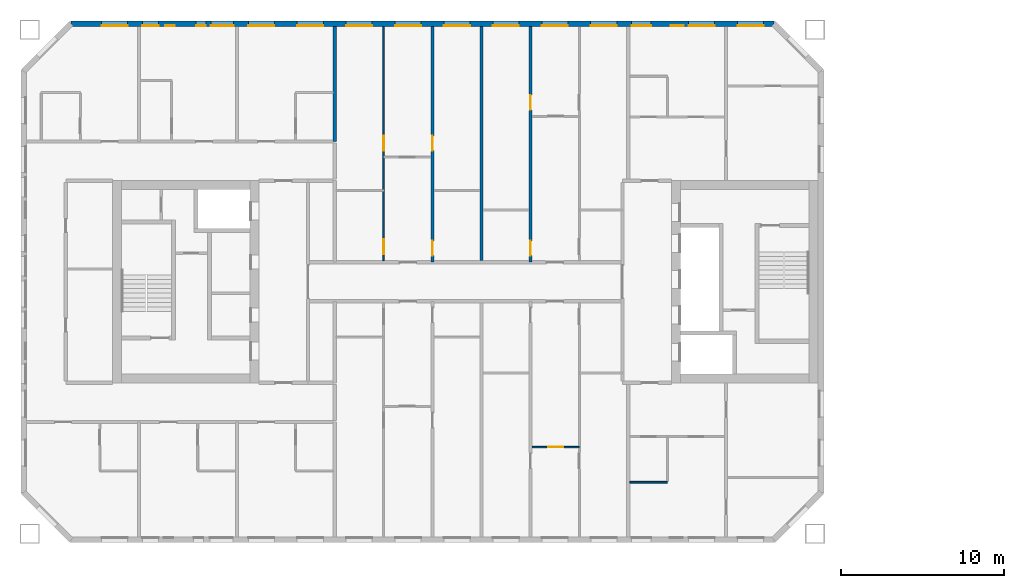
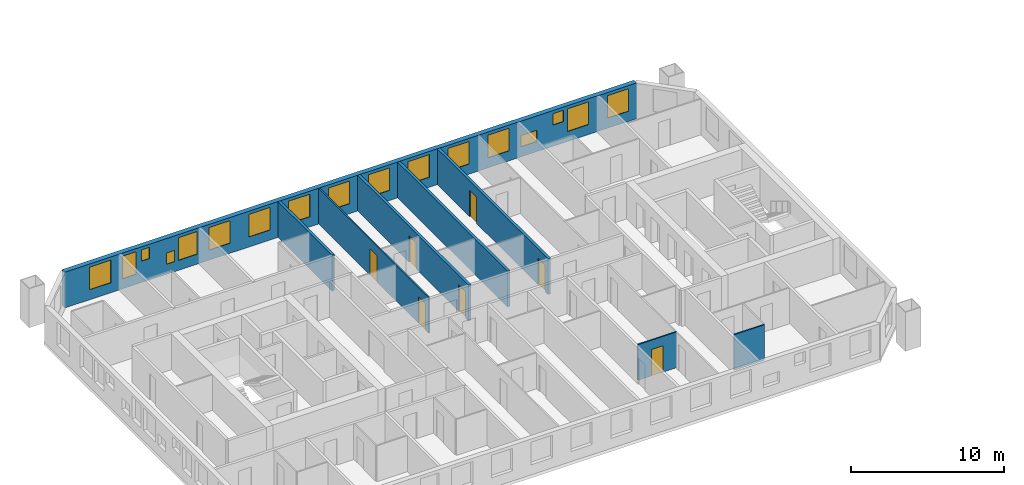
# One storey, part 6 of 17: 17 windows, 8 walls, 7 doors, 24 openings.
"""IFC4 building model written with IfcOpenShell, lengths in metres."""

from ifc_helpers import new_model, si_unit, direction, frame, frame_2d, origin, place, context, subcontext, project, spatial, rectangle, extrude, material, layer, layer_set, type_object, element, fill, save


model = new_model("IFC4")

# Units and contexts
model_context = context("Model", 3, precision=1e-05, world=origin(), true_north=direction((0.0, 1.0)))
body_context = subcontext(model_context, "Body", "Model", "MODEL_VIEW")
ifc_project = project(units=[si_unit("LENGTHUNIT", "METRE"), si_unit("AREAUNIT", "SQUARE_METRE"), si_unit("VOLUMEUNIT", "CUBIC_METRE"), si_unit("PLANEANGLEUNIT", "RADIAN"), si_unit("MASSUNIT", "GRAM", prefix="KILO")], contexts=[model_context])

# Site, building, storey
site_placement = place(None, origin())
site = spatial("IfcSite", under=ifc_project, at=site_placement, CompositionType="ELEMENT")
building_placement = place(site_placement, origin())
building = spatial("IfcBuilding", under=site, at=building_placement, Name="Tuart Gate Housing", CompositionType="ELEMENT")
storey_placement = place(building_placement, frame((0.0, 0.0, 126.800048828125)))
storey = spatial("IfcBuildingStorey", under=building, at=storey_placement, Name="L35", CompositionType="ELEMENT", Elevation=126.800048828125)

# Wall, openings, windows
ifc_material_1 = material(Name="Brick", Category="masonry")
ifc_layer_1 = layer(ifc_material_1, 0.360107421875)
ifc_layer_set_1 = layer_set([ifc_layer_1], Name="Brick pier and spandrel wall 360")
wall_type_1 = type_object("IfcWallType", Name="Brick pier and spandrel wall 360", PredefinedType="STANDARD", material=ifc_layer_set_1)
wall_1_placement = place(storey_placement, frame((72.92529296875, 85.820068359375, 0.0), z_axis=(0.0, 0.0, 1.0), x_axis=(-1.0, 0.0, 0.0)))
wall_1 = element("IfcWall", 1, at=wall_1_placement, inside=storey, type_object=wall_type_1, Name="External wall A-N L35", PredefinedType="STANDARD", context=body_context, shape_type="SweptSolid", body=[
    extrude(rectangle(XDim=43.100830078125, YDim=0.360107421875, at=frame_2d((21.55029296875, 0.0))), origin(), (0.0, 0.0, 1.0), 2.849853515625),
])
opening_1_placement = place(wall_1_placement, frame((0.62548828125, 0.0, 0.800048828125)))
opening_1 = element("IfcOpeningElement", 2, at=opening_1_placement, cuts=wall_1, Name="Opening W1", PredefinedType="OPENING", context=body_context, shape_type="SweptSolid", body=[
    extrude(rectangle(XDim=1.60009765625, YDim=1.800048828125, at=frame_2d((0.800048828125, 0.89990234375))), frame((0.0, 0.18994140625, 0.0), z_axis=(0.0, -1.0, 0.0), x_axis=(1.0, 0.0, 0.0)), (0.0, 0.0, 1.0), 0.380126953125),
])
opening_2_placement = place(wall_1_placement, frame((3.62548828125, 0.0, 0.800048828125)))
opening_2 = element("IfcOpeningElement", 3, at=opening_2_placement, cuts=wall_1, Name="Opening W1", PredefinedType="OPENING", context=body_context, shape_type="SweptSolid", body=[
    extrude(rectangle(XDim=1.60009765625, YDim=1.800048828125, at=frame_2d((0.800048828125, 0.89990234375))), frame((0.0, 0.18994140625, 0.0), z_axis=(0.0, -1.0, 0.0), x_axis=(1.0, 0.0, 0.0)), (0.0, 0.0, 1.0), 0.380126953125),
])
opening_3_placement = place(wall_1_placement, frame((5.525390625, 0.0, 1.699951171875)))
opening_3 = element("IfcOpeningElement", 4, at=opening_3_placement, cuts=wall_1, Name="Opening W1V", PredefinedType="OPENING", context=body_context, shape_type="SweptSolid", body=[
    extrude(rectangle(XDim=0.800048828125, YDim=0.89990234375, at=frame_2d((0.39990234375, 0.449951171875))), frame((0.0, 0.18994140625, 0.0), z_axis=(0.0, -1.0, 0.0), x_axis=(1.0, 0.0, 0.0)), (0.0, 0.0, 1.0), 0.380126953125),
])
opening_4_placement = place(wall_1_placement, frame((9.62548828125, 0.0, 0.800048828125)))
opening_4 = element("IfcOpeningElement", 5, at=opening_4_placement, cuts=wall_1, Name="Opening W1", PredefinedType="OPENING", context=body_context, shape_type="SweptSolid", body=[
    extrude(rectangle(XDim=1.60009765625, YDim=1.800048828125, at=frame_2d((0.800048828125, 0.89990234375))), frame((0.0, 0.18994140625, 0.0), z_axis=(0.0, -1.0, 0.0), x_axis=(1.0, 0.0, 0.0)), (0.0, 0.0, 1.0), 0.380126953125),
])
opening_5_placement = place(wall_1_placement, frame((12.62548828125, 0.0, 0.800048828125)))
opening_5 = element("IfcOpeningElement", 6, at=opening_5_placement, cuts=wall_1, Name="Opening W1", PredefinedType="OPENING", context=body_context, shape_type="SweptSolid", body=[
    extrude(rectangle(XDim=1.60009765625, YDim=1.800048828125, at=frame_2d((0.800048828125, 0.89990234375))), frame((0.0, 0.18994140625, 0.0), z_axis=(0.0, -1.0, 0.0), x_axis=(1.0, 0.0, 0.0)), (0.0, 0.0, 1.0), 0.380126953125),
])
opening_6_placement = place(wall_1_placement, frame((15.62548828125, 0.0, 0.800048828125)))
opening_6 = element("IfcOpeningElement", 7, at=opening_6_placement, cuts=wall_1, Name="Opening W1", PredefinedType="OPENING", context=body_context, shape_type="SweptSolid", body=[
    extrude(rectangle(XDim=1.60009765625, YDim=1.800048828125, at=frame_2d((0.800048828125, 0.89990234375))), frame((0.0, 0.18994140625, 0.0), z_axis=(0.0, -1.0, 0.0), x_axis=(1.0, 0.0, 0.0)), (0.0, 0.0, 1.0), 0.380126953125),
])
opening_7_placement = place(wall_1_placement, frame((18.62548828125, 0.0, 0.800048828125)))
opening_7 = element("IfcOpeningElement", 8, at=opening_7_placement, cuts=wall_1, Name="Opening W1", PredefinedType="OPENING", context=body_context, shape_type="SweptSolid", body=[
    extrude(rectangle(XDim=1.60009765625, YDim=1.800048828125, at=frame_2d((0.800048828125, 0.89990234375))), frame((0.0, 0.18994140625, 0.0), z_axis=(0.0, -1.0, 0.0), x_axis=(1.0, 0.0, 0.0)), (0.0, 0.0, 1.0), 0.380126953125),
])
opening_8_placement = place(wall_1_placement, frame((21.62548828125, 0.0, 0.800048828125)))
opening_8 = element("IfcOpeningElement", 9, at=opening_8_placement, cuts=wall_1, Name="Opening W1", PredefinedType="OPENING", context=body_context, shape_type="SweptSolid", body=[
    extrude(rectangle(XDim=1.60009765625, YDim=1.800048828125, at=frame_2d((0.800048828125, 0.89990234375))), frame((0.0, 0.18994140625, 0.0), z_axis=(0.0, -1.0, 0.0), x_axis=(1.0, 0.0, 0.0)), (0.0, 0.0, 1.0), 0.380126953125),
])
opening_9_placement = place(wall_1_placement, frame((24.62548828125, 0.0, 0.800048828125)))
opening_9 = element("IfcOpeningElement", 10, at=opening_9_placement, cuts=wall_1, Name="Opening W1", PredefinedType="OPENING", context=body_context, shape_type="SweptSolid", body=[
    extrude(rectangle(XDim=1.60009765625, YDim=1.800048828125, at=frame_2d((0.800048828125, 0.89990234375))), frame((0.0, 0.18994140625, 0.0), z_axis=(0.0, -1.0, 0.0), x_axis=(1.0, 0.0, 0.0)), (0.0, 0.0, 1.0), 0.380126953125),
])
opening_10_placement = place(wall_1_placement, frame((27.62548828125, 0.0, 0.800048828125)))
opening_10 = element("IfcOpeningElement", 11, at=opening_10_placement, cuts=wall_1, Name="Opening W1", PredefinedType="OPENING", context=body_context, shape_type="SweptSolid", body=[
    extrude(rectangle(XDim=1.60009765625, YDim=1.800048828125, at=frame_2d((0.800048828125, 0.89990234375))), frame((0.0, 0.18994140625, 0.0), z_axis=(0.0, -1.0, 0.0), x_axis=(1.0, 0.0, 0.0)), (0.0, 0.0, 1.0), 0.380126953125),
])
opening_11_placement = place(wall_1_placement, frame((30.62548828125, 0.0, 0.800048828125)))
opening_11 = element("IfcOpeningElement", 12, at=opening_11_placement, cuts=wall_1, Name="Opening W1", PredefinedType="OPENING", context=body_context, shape_type="SweptSolid", body=[
    extrude(rectangle(XDim=1.60009765625, YDim=1.800048828125, at=frame_2d((0.800048828125, 0.89990234375))), frame((0.0, 0.18994140625, 0.0), z_axis=(0.0, -1.0, 0.0), x_axis=(1.0, 0.0, 0.0)), (0.0, 0.0, 1.0), 0.380126953125),
])
opening_12_placement = place(wall_1_placement, frame((33.12548828125, 0.0, 0.800048828125)))
opening_12 = element("IfcOpeningElement", 13, at=opening_12_placement, cuts=wall_1, Name="Opening W1A", PredefinedType="OPENING", context=body_context, shape_type="SweptSolid", body=[
    extrude(rectangle(XDim=1.39990234375, YDim=1.800048828125, at=frame_2d((0.699951171875, 0.89990234375))), frame((0.0, 0.18994140625, 0.0), z_axis=(0.0, -1.0, 0.0), x_axis=(1.0, 0.0, 0.0)), (0.0, 0.0, 1.0), 0.380126953125),
])
opening_13_placement = place(wall_1_placement, frame((34.825439453125, 0.0, 0.800048828125)))
opening_13 = element("IfcOpeningElement", 14, at=opening_13_placement, cuts=wall_1, Name="Opening W1W", PredefinedType="OPENING", context=body_context, shape_type="SweptSolid", body=[
    extrude(rectangle(XDim=0.60009765625, YDim=0.89990234375, at=frame_2d((0.300048828125, 0.449951171875))), frame((0.0, 0.18994140625, 0.0), z_axis=(0.0, -1.0, 0.0), x_axis=(1.0, 0.0, 0.0)), (0.0, 0.0, 1.0), 0.380126953125),
])
opening_14_placement = place(wall_1_placement, frame((39.62548828125, 0.0, 0.800048828125)))
opening_14 = element("IfcOpeningElement", 15, at=opening_14_placement, cuts=wall_1, Name="Opening W1", PredefinedType="OPENING", context=body_context, shape_type="SweptSolid", body=[
    extrude(rectangle(XDim=1.60009765625, YDim=1.800048828125, at=frame_2d((0.800048828125, 0.89990234375))), frame((0.0, 0.18994140625, 0.0), z_axis=(0.0, -1.0, 0.0), x_axis=(1.0, 0.0, 0.0)), (0.0, 0.0, 1.0), 0.380126953125),
])
opening_15_placement = place(wall_1_placement, frame((7.525390625, 0.0, 0.800048828125)))
opening_15 = element("IfcOpeningElement", 16, at=opening_15_placement, cuts=wall_1, Name="Opening W1T", PredefinedType="OPENING", context=body_context, shape_type="SweptSolid", body=[
    extrude(rectangle(XDim=1.199951171875, YDim=0.89990234375, at=frame_2d((0.60009765625, 0.449951171875))), frame((0.0, 0.18994140625, 0.0), z_axis=(0.0, -1.0, 0.0), x_axis=(1.0, 0.0, 0.0)), (0.0, 0.0, 1.0), 0.380126953125),
])
opening_16_placement = place(wall_1_placement, frame((36.725341796875, 0.0, 1.699951171875)))
opening_16 = element("IfcOpeningElement", 17, at=opening_16_placement, cuts=wall_1, Name="Opening W1W", PredefinedType="OPENING", context=body_context, shape_type="SweptSolid", body=[
    extrude(rectangle(XDim=0.60009765625, YDim=0.89990234375, at=frame_2d((0.300048828125, 0.449951171875))), frame((0.0, 0.18994140625, 0.0), z_axis=(0.0, -1.0, 0.0), x_axis=(1.0, 0.0, 0.0)), (0.0, 0.0, 1.0), 0.380126953125),
])
opening_17_placement = place(wall_1_placement, frame((37.725341796875, 0.0, 0.800048828125)))
opening_17 = element("IfcOpeningElement", 18, at=opening_17_placement, cuts=wall_1, Name="Opening W1C", PredefinedType="OPENING", context=body_context, shape_type="SweptSolid", body=[
    extrude(rectangle(XDim=1.0, YDim=1.800048828125, at=frame_2d((0.5, 0.89990234375))), frame((0.0, 0.18994140625, 0.0), z_axis=(0.0, -1.0, 0.0), x_axis=(1.0, 0.0, 0.0)), (0.0, 0.0, 1.0), 0.380126953125),
])
ifc_material_2 = material(Name="Aluminium frame with clear glass", Category="aluminium")
window_type_1 = type_object("IfcWindowType", Name="Punched window 1000 x 1800", PartitioningType="SINGLE_PANEL", PredefinedType="WINDOW", material=ifc_material_2)
window_1_placement = place(opening_17_placement, origin())
window_1 = element("IfcWindow", 19, at=window_1_placement, inside=storey, type_object=window_type_1, Name="Window W1C", OverallHeight=1.800048828125, OverallWidth=1.0, PartitioningType="SINGLE_PANEL", PredefinedType="WINDOW", context=body_context, shape_type="SweptSolid", body=[
    extrude(rectangle(XDim=1.0, YDim=1.800048828125, at=frame_2d((0.5, 0.89990234375))), frame((0.0, 0.150146484375, 0.0), z_axis=(0.0, -1.0, 0.0), x_axis=(1.0, 0.0, 0.0)), (0.0, 0.0, 1.0), 0.06005859375),
])
fill(opening_17, window_1)
ifc_material_3 = material(Name="Aluminium frame with clear glass", Category="aluminium")
window_type_2 = type_object("IfcWindowType", Name="Punched window 1200 x 900", PartitioningType="SINGLE_PANEL", PredefinedType="WINDOW", material=ifc_material_3)
window_2_placement = place(opening_15_placement, origin())
window_2 = element("IfcWindow", 20, at=window_2_placement, inside=storey, type_object=window_type_2, Name="Window W1T", OverallHeight=0.89990234375, OverallWidth=1.199951171875, PartitioningType="SINGLE_PANEL", PredefinedType="WINDOW", context=body_context, shape_type="SweptSolid", body=[
    extrude(rectangle(XDim=1.199951171875, YDim=0.89990234375, at=frame_2d((0.60009765625, 0.449951171875))), frame((0.0, 0.150146484375, 0.0), z_axis=(0.0, -1.0, 0.0), x_axis=(1.0, 0.0, 0.0)), (0.0, 0.0, 1.0), 0.06005859375),
])
fill(opening_15, window_2)
ifc_material_4 = material(Name="Aluminium frame with clear glass", Category="aluminium")
window_type_3 = type_object("IfcWindowType", Name="Punched window 1400 x 1800", PartitioningType="SINGLE_PANEL", PredefinedType="WINDOW", material=ifc_material_4)
window_3_placement = place(opening_12_placement, origin())
window_3 = element("IfcWindow", 21, at=window_3_placement, inside=storey, type_object=window_type_3, Name="Window W1A", OverallHeight=1.800048828125, OverallWidth=1.39990234375, PartitioningType="SINGLE_PANEL", PredefinedType="WINDOW", context=body_context, shape_type="SweptSolid", body=[
    extrude(rectangle(XDim=1.39990234375, YDim=1.800048828125, at=frame_2d((0.699951171875, 0.89990234375))), frame((0.0, 0.150146484375, 0.0), z_axis=(0.0, -1.0, 0.0), x_axis=(1.0, 0.0, 0.0)), (0.0, 0.0, 1.0), 0.06005859375),
])
fill(opening_12, window_3)
ifc_material_5 = material(Name="Aluminium frame with clear glass", Category="aluminium")
window_type_4 = type_object("IfcWindowType", Name="Punched window 1600 x 1800", PartitioningType="SINGLE_PANEL", PredefinedType="WINDOW", material=ifc_material_5)
window_4_placement = place(opening_1_placement, origin())
window_4 = element("IfcWindow", 22, at=window_4_placement, inside=storey, type_object=window_type_4, Name="Window W1", OverallHeight=1.800048828125, OverallWidth=1.60009765625, PartitioningType="SINGLE_PANEL", PredefinedType="WINDOW", context=body_context, shape_type="SweptSolid", body=[
    extrude(rectangle(XDim=1.60009765625, YDim=1.800048828125, at=frame_2d((0.800048828125, 0.89990234375))), frame((0.0, 0.150146484375, 0.0), z_axis=(0.0, -1.0, 0.0), x_axis=(1.0, 0.0, 0.0)), (0.0, 0.0, 1.0), 0.06005859375),
])
fill(opening_1, window_4)
window_5_placement = place(opening_2_placement, origin())
window_5 = element("IfcWindow", 23, at=window_5_placement, inside=storey, type_object=window_type_4, Name="Window W1", OverallHeight=1.800048828125, OverallWidth=1.60009765625, PartitioningType="SINGLE_PANEL", PredefinedType="WINDOW", context=body_context, shape_type="SweptSolid", body=[
    extrude(rectangle(XDim=1.60009765625, YDim=1.800048828125, at=frame_2d((0.800048828125, 0.89990234375))), frame((0.0, 0.150146484375, 0.0), z_axis=(0.0, -1.0, 0.0), x_axis=(1.0, 0.0, 0.0)), (0.0, 0.0, 1.0), 0.06005859375),
])
fill(opening_2, window_5)
window_6_placement = place(opening_4_placement, origin())
window_6 = element("IfcWindow", 24, at=window_6_placement, inside=storey, type_object=window_type_4, Name="Window W1", OverallHeight=1.800048828125, OverallWidth=1.60009765625, PartitioningType="SINGLE_PANEL", PredefinedType="WINDOW", context=body_context, shape_type="SweptSolid", body=[
    extrude(rectangle(XDim=1.60009765625, YDim=1.800048828125, at=frame_2d((0.800048828125, 0.89990234375))), frame((0.0, 0.150146484375, 0.0), z_axis=(0.0, -1.0, 0.0), x_axis=(1.0, 0.0, 0.0)), (0.0, 0.0, 1.0), 0.06005859375),
])
fill(opening_4, window_6)
window_7_placement = place(opening_5_placement, origin())
window_7 = element("IfcWindow", 25, at=window_7_placement, inside=storey, type_object=window_type_4, Name="Window W1", OverallHeight=1.800048828125, OverallWidth=1.60009765625, PartitioningType="SINGLE_PANEL", PredefinedType="WINDOW", context=body_context, shape_type="SweptSolid", body=[
    extrude(rectangle(XDim=1.60009765625, YDim=1.800048828125, at=frame_2d((0.800048828125, 0.89990234375))), frame((0.0, 0.150146484375, 0.0), z_axis=(0.0, -1.0, 0.0), x_axis=(1.0, 0.0, 0.0)), (0.0, 0.0, 1.0), 0.06005859375),
])
fill(opening_5, window_7)
window_8_placement = place(opening_6_placement, origin())
window_8 = element("IfcWindow", 26, at=window_8_placement, inside=storey, type_object=window_type_4, Name="Window W1", OverallHeight=1.800048828125, OverallWidth=1.60009765625, PartitioningType="SINGLE_PANEL", PredefinedType="WINDOW", context=body_context, shape_type="SweptSolid", body=[
    extrude(rectangle(XDim=1.60009765625, YDim=1.800048828125, at=frame_2d((0.800048828125, 0.89990234375))), frame((0.0, 0.150146484375, 0.0), z_axis=(0.0, -1.0, 0.0), x_axis=(1.0, 0.0, 0.0)), (0.0, 0.0, 1.0), 0.06005859375),
])
fill(opening_6, window_8)
window_9_placement = place(opening_7_placement, origin())
window_9 = element("IfcWindow", 27, at=window_9_placement, inside=storey, type_object=window_type_4, Name="Window W1", OverallHeight=1.800048828125, OverallWidth=1.60009765625, PartitioningType="SINGLE_PANEL", PredefinedType="WINDOW", context=body_context, shape_type="SweptSolid", body=[
    extrude(rectangle(XDim=1.60009765625, YDim=1.800048828125, at=frame_2d((0.800048828125, 0.89990234375))), frame((0.0, 0.150146484375, 0.0), z_axis=(0.0, -1.0, 0.0), x_axis=(1.0, 0.0, 0.0)), (0.0, 0.0, 1.0), 0.06005859375),
])
fill(opening_7, window_9)
window_10_placement = place(opening_8_placement, origin())
window_10 = element("IfcWindow", 28, at=window_10_placement, inside=storey, type_object=window_type_4, Name="Window W1", OverallHeight=1.800048828125, OverallWidth=1.60009765625, PartitioningType="SINGLE_PANEL", PredefinedType="WINDOW", context=body_context, shape_type="SweptSolid", body=[
    extrude(rectangle(XDim=1.60009765625, YDim=1.800048828125, at=frame_2d((0.800048828125, 0.89990234375))), frame((0.0, 0.150146484375, 0.0), z_axis=(0.0, -1.0, 0.0), x_axis=(1.0, 0.0, 0.0)), (0.0, 0.0, 1.0), 0.06005859375),
])
fill(opening_8, window_10)
window_11_placement = place(opening_9_placement, origin())
window_11 = element("IfcWindow", 29, at=window_11_placement, inside=storey, type_object=window_type_4, Name="Window W1", OverallHeight=1.800048828125, OverallWidth=1.60009765625, PartitioningType="SINGLE_PANEL", PredefinedType="WINDOW", context=body_context, shape_type="SweptSolid", body=[
    extrude(rectangle(XDim=1.60009765625, YDim=1.800048828125, at=frame_2d((0.800048828125, 0.89990234375))), frame((0.0, 0.150146484375, 0.0), z_axis=(0.0, -1.0, 0.0), x_axis=(1.0, 0.0, 0.0)), (0.0, 0.0, 1.0), 0.06005859375),
])
fill(opening_9, window_11)
window_12_placement = place(opening_10_placement, origin())
window_12 = element("IfcWindow", 30, at=window_12_placement, inside=storey, type_object=window_type_4, Name="Window W1", OverallHeight=1.800048828125, OverallWidth=1.60009765625, PartitioningType="SINGLE_PANEL", PredefinedType="WINDOW", context=body_context, shape_type="SweptSolid", body=[
    extrude(rectangle(XDim=1.60009765625, YDim=1.800048828125, at=frame_2d((0.800048828125, 0.89990234375))), frame((0.0, 0.150146484375, 0.0), z_axis=(0.0, -1.0, 0.0), x_axis=(1.0, 0.0, 0.0)), (0.0, 0.0, 1.0), 0.06005859375),
])
fill(opening_10, window_12)
window_13_placement = place(opening_11_placement, origin())
window_13 = element("IfcWindow", 31, at=window_13_placement, inside=storey, type_object=window_type_4, Name="Window W1", OverallHeight=1.800048828125, OverallWidth=1.60009765625, PartitioningType="SINGLE_PANEL", PredefinedType="WINDOW", context=body_context, shape_type="SweptSolid", body=[
    extrude(rectangle(XDim=1.60009765625, YDim=1.800048828125, at=frame_2d((0.800048828125, 0.89990234375))), frame((0.0, 0.150146484375, 0.0), z_axis=(0.0, -1.0, 0.0), x_axis=(1.0, 0.0, 0.0)), (0.0, 0.0, 1.0), 0.06005859375),
])
fill(opening_11, window_13)
window_14_placement = place(opening_14_placement, origin())
window_14 = element("IfcWindow", 32, at=window_14_placement, inside=storey, type_object=window_type_4, Name="Window W1", OverallHeight=1.800048828125, OverallWidth=1.60009765625, PartitioningType="SINGLE_PANEL", PredefinedType="WINDOW", context=body_context, shape_type="SweptSolid", body=[
    extrude(rectangle(XDim=1.60009765625, YDim=1.800048828125, at=frame_2d((0.800048828125, 0.89990234375))), frame((0.0, 0.150146484375, 0.0), z_axis=(0.0, -1.0, 0.0), x_axis=(1.0, 0.0, 0.0)), (0.0, 0.0, 1.0), 0.06005859375),
])
fill(opening_14, window_14)
ifc_material_6 = material(Name="Aluminium frame with clear glass", Category="aluminium")
window_type_5 = type_object("IfcWindowType", Name="Punched window 600 x 900", PartitioningType="SINGLE_PANEL", PredefinedType="WINDOW", material=ifc_material_6)
window_15_placement = place(opening_13_placement, origin())
window_15 = element("IfcWindow", 33, at=window_15_placement, inside=storey, type_object=window_type_5, Name="Window W1W", OverallHeight=0.89990234375, OverallWidth=0.60009765625, PartitioningType="SINGLE_PANEL", PredefinedType="WINDOW", context=body_context, shape_type="SweptSolid", body=[
    extrude(rectangle(XDim=0.60009765625, YDim=0.89990234375, at=frame_2d((0.300048828125, 0.449951171875))), frame((0.0, 0.150146484375, 0.0), z_axis=(0.0, -1.0, 0.0), x_axis=(1.0, 0.0, 0.0)), (0.0, 0.0, 1.0), 0.06005859375),
])
fill(opening_13, window_15)
window_16_placement = place(opening_16_placement, origin())
window_16 = element("IfcWindow", 34, at=window_16_placement, inside=storey, type_object=window_type_5, Name="Window W1W", OverallHeight=0.89990234375, OverallWidth=0.60009765625, PartitioningType="SINGLE_PANEL", PredefinedType="WINDOW", context=body_context, shape_type="SweptSolid", body=[
    extrude(rectangle(XDim=0.60009765625, YDim=0.89990234375, at=frame_2d((0.300048828125, 0.449951171875))), frame((0.0, 0.150146484375, 0.0), z_axis=(0.0, -1.0, 0.0), x_axis=(1.0, 0.0, 0.0)), (0.0, 0.0, 1.0), 0.06005859375),
])
fill(opening_16, window_16)
ifc_material_7 = material(Name="Aluminium frame with clear glass", Category="aluminium")
window_type_6 = type_object("IfcWindowType", Name="Punched window 800 x 900", PartitioningType="SINGLE_PANEL", PredefinedType="WINDOW", material=ifc_material_7)
window_17_placement = place(opening_3_placement, origin())
window_17 = element("IfcWindow", 35, at=window_17_placement, inside=storey, type_object=window_type_6, Name="Window W1V", OverallHeight=0.89990234375, OverallWidth=0.800048828125, PartitioningType="SINGLE_PANEL", PredefinedType="WINDOW", context=body_context, shape_type="SweptSolid", body=[
    extrude(rectangle(XDim=0.800048828125, YDim=0.89990234375, at=frame_2d((0.39990234375, 0.449951171875))), frame((0.0, 0.150146484375, 0.0), z_axis=(0.0, -1.0, 0.0), x_axis=(1.0, 0.0, 0.0)), (0.0, 0.0, 1.0), 0.06005859375),
])
fill(opening_3, window_17)

# Wall
ifc_material_8 = material(Name="Gypsum board on steel studs", Category="steel")
ifc_layer_2 = layer(ifc_material_8, 0.10009765625)
ifc_layer_set_2 = layer_set([ifc_layer_2], Name="Partition 100")
wall_type_2 = type_object("IfcWallType", Name="Partition 100", PredefinedType="PARTITIONING", material=ifc_layer_set_2)
wall_2_placement = place(storey_placement, frame((64.10009765625, 57.699951171875, 0.0), z_axis=(0.0, 0.0, 1.0), x_axis=(1.0, 0.0, 0.0)))
element("IfcWall", 36, at=wall_2_placement, inside=storey, type_object=wall_type_2, Name="Partition 100", PredefinedType="PARTITIONING", context=body_context, shape_type="SweptSolid", body=[
    extrude(rectangle(XDim=2.2998046875, YDim=0.10009765625, at=frame_2d((1.14990234375, 0.0))), origin(), (0.0, 0.0, 1.0), 2.849853515625),
])

# Wall, opening, door
wall_3_placement = place(storey_placement, frame((58.10009765625, 59.860107421875, 0.0), z_axis=(0.0, 0.0, 1.0), x_axis=(1.0, 0.0, 0.0)))
wall_3 = element("IfcWall", 37, at=wall_3_placement, inside=storey, type_object=wall_type_2, Name="Partition 100", PredefinedType="PARTITIONING", context=body_context, shape_type="SweptSolid", body=[
    extrude(rectangle(XDim=2.89990234375, YDim=0.10009765625, at=frame_2d((1.449951171875, 0.0))), origin(), (0.0, 0.0, 1.0), 2.849853515625),
])
opening_18_placement = place(wall_3_placement, frame((1.0, 0.0, 0.0)))
opening_18 = element("IfcOpeningElement", 38, at=opening_18_placement, cuts=wall_3, Name="Opening D1348", PredefinedType="OPENING", context=body_context, shape_type="SweptSolid", body=[
    extrude(rectangle(XDim=0.89990234375, YDim=2.10009765625, at=frame_2d((0.449951171875, 1.050048828125))), frame((0.0, 0.06005859375, 0.0), z_axis=(0.0, -1.0, 0.0), x_axis=(1.0, 0.0, 0.0)), (0.0, 0.0, 1.0), 0.1201171875),
])
ifc_material_9 = material(Name="Timber door leaf in steel frame", Category="steel")
door_type_1 = type_object("IfcDoorType", Name="Internal door 900 RH", OperationType="SINGLE_SWING_RIGHT", PredefinedType="DOOR", material=ifc_material_9)
door_1_placement = place(opening_18_placement, origin())
door_1 = element("IfcDoor", 39, at=door_1_placement, inside=storey, type_object=door_type_1, Name="Internal door", OperationType="SINGLE_SWING_RIGHT", OverallHeight=2.10009765625, OverallWidth=0.89990234375, PredefinedType="DOOR", context=body_context, shape_type="SweptSolid", body=[
    extrude(rectangle(XDim=0.89990234375, YDim=2.10009765625, at=frame_2d((0.449951171875, 1.050048828125))), frame((0.0, 0.02490234375, 0.0), z_axis=(0.0, -1.0, 0.0), x_axis=(1.0, 0.0, 0.0)), (0.0, 0.0, 1.0), 0.050048828125),
])
fill(opening_18, door_1)

# Wall, openings, doors
wall_4_placement = place(storey_placement, frame((49.0, 71.300048828125, 0.0), z_axis=(0.0, 0.0, 1.0), x_axis=(0.0, 1.0, 0.0)))
wall_4 = element("IfcWall", 40, at=wall_4_placement, inside=storey, type_object=wall_type_2, Name="Partition 100", PredefinedType="PARTITIONING", context=body_context, shape_type="SweptSolid", body=[
    extrude(rectangle(XDim=14.33984375, YDim=0.10009765625, at=frame_2d((7.169921875, 0.0))), origin(), (0.0, 0.0, 1.0), 2.849853515625),
])
opening_19_placement = place(wall_4_placement, frame((6.739990234375, 0.0, 0.0)))
opening_19 = element("IfcOpeningElement", 41, at=opening_19_placement, cuts=wall_4, Name="Opening D1302", PredefinedType="OPENING", context=body_context, shape_type="SweptSolid", body=[
    extrude(rectangle(XDim=0.89990234375, YDim=2.10009765625, at=frame_2d((0.449951171875, 1.050048828125))), frame((0.0, 0.06005859375, 0.0), z_axis=(0.0, -1.0, 0.0), x_axis=(1.0, 0.0, 0.0)), (0.0, 0.0, 1.0), 0.1201171875),
])
opening_20_placement = place(wall_4_placement, frame((0.39990234375, 0.0, 0.0)))
opening_20 = element("IfcOpeningElement", 42, at=opening_20_placement, cuts=wall_4, Name="Opening D1301", PredefinedType="OPENING", context=body_context, shape_type="SweptSolid", body=[
    extrude(rectangle(XDim=0.89990234375, YDim=2.10009765625, at=frame_2d((0.449951171875, 1.050048828125))), frame((0.0, 0.06005859375, 0.0), z_axis=(0.0, -1.0, 0.0), x_axis=(1.0, 0.0, 0.0)), (0.0, 0.0, 1.0), 0.1201171875),
])
ifc_material_10 = material(Name="Timber door leaf in steel frame", Category="steel")
door_type_2 = type_object("IfcDoorType", Name="Bathroom door 900", OperationType="SINGLE_SWING_LEFT", PredefinedType="DOOR", material=ifc_material_10)
door_2_placement = place(opening_20_placement, origin())
door_2 = element("IfcDoor", 43, at=door_2_placement, inside=storey, type_object=door_type_2, Name="Bathroom door", OperationType="SINGLE_SWING_LEFT", OverallHeight=2.10009765625, OverallWidth=0.89990234375, PredefinedType="DOOR", context=body_context, shape_type="SweptSolid", body=[
    extrude(rectangle(XDim=0.89990234375, YDim=2.10009765625, at=frame_2d((0.449951171875, 1.050048828125))), frame((0.0, 0.02490234375, 0.0), z_axis=(0.0, -1.0, 0.0), x_axis=(1.0, 0.0, 0.0)), (0.0, 0.0, 1.0), 0.050048828125),
])
fill(opening_20, door_2)
ifc_material_11 = material(Name="Timber door leaf in steel frame", Category="steel")
door_type_3 = type_object("IfcDoorType", Name="Internal door 900", OperationType="SINGLE_SWING_LEFT", PredefinedType="DOOR", material=ifc_material_11)
door_3_placement = place(opening_19_placement, origin())
door_3 = element("IfcDoor", 44, at=door_3_placement, inside=storey, type_object=door_type_3, Name="Internal door", OperationType="SINGLE_SWING_LEFT", OverallHeight=2.10009765625, OverallWidth=0.89990234375, PredefinedType="DOOR", context=body_context, shape_type="SweptSolid", body=[
    extrude(rectangle(XDim=0.89990234375, YDim=2.10009765625, at=frame_2d((0.449951171875, 1.050048828125))), frame((0.0, 0.02490234375, 0.0), z_axis=(0.0, -1.0, 0.0), x_axis=(1.0, 0.0, 0.0)), (0.0, 0.0, 1.0), 0.050048828125),
])
fill(opening_19, door_3)

# Wall
ifc_material_12 = material(Name="Concrete C40", Category="concrete")
ifc_layer_3 = layer(ifc_material_12, 0.199951171875)
ifc_layer_set_3 = layer_set([ifc_layer_3], Name="Party wall concrete C40 200")
wall_type_3 = type_object("IfcWallType", Name="Party wall concrete C40 200", PredefinedType="SOLIDWALL", material=ifc_layer_set_3)
wall_5_placement = place(storey_placement, frame((46.0, 78.60009765625, 0.0), z_axis=(0.0, 0.0, 1.0), x_axis=(0.0, 1.0, 0.0)))
element("IfcWall", 45, at=wall_5_placement, inside=storey, type_object=wall_type_3, Name="Party wall concrete C40 200", PredefinedType="SOLIDWALL", context=body_context, shape_type="SweptSolid", body=[
    extrude(rectangle(XDim=7.039794921875, YDim=0.199951171875, at=frame_2d((3.52001953125, 0.0))), origin(), (0.0, 0.0, 1.0), 2.849853515625),
])

# Wall, openings, doors
wall_6_placement = place(storey_placement, frame((52.0, 71.199951171875, 0.0), z_axis=(0.0, 0.0, 1.0), x_axis=(0.0, 1.0, 0.0)))
wall_6 = element("IfcWall", 46, at=wall_6_placement, inside=storey, type_object=wall_type_3, Name="Party wall concrete C40 200", PredefinedType="SOLIDWALL", context=body_context, shape_type="SweptSolid", body=[
    extrude(rectangle(XDim=14.43994140625, YDim=0.199951171875, at=frame_2d((7.219970703125, 0.0))), origin(), (0.0, 0.0, 1.0), 2.849853515625),
])
opening_21_placement = place(wall_6_placement, frame((6.840087890625, 0.0, 0.0)))
opening_21 = element("IfcOpeningElement", 47, at=opening_21_placement, cuts=wall_6, Name="Opening D1306", PredefinedType="OPENING", context=body_context, shape_type="SweptSolid", body=[
    extrude(rectangle(XDim=0.89990234375, YDim=2.10009765625, at=frame_2d((0.449951171875, 1.050048828125))), frame((0.0, 0.10986328125, 0.0), z_axis=(0.0, -1.0, 0.0), x_axis=(1.0, 0.0, 0.0)), (0.0, 0.0, 1.0), 0.219970703125),
])
opening_22_placement = place(wall_6_placement, frame((0.39990234375, 0.0, 0.0)))
opening_22 = element("IfcOpeningElement", 48, at=opening_22_placement, cuts=wall_6, Name="Opening D1305", PredefinedType="OPENING", context=body_context, shape_type="SweptSolid", body=[
    extrude(rectangle(XDim=0.89990234375, YDim=2.10009765625, at=frame_2d((0.449951171875, 1.050048828125))), frame((0.0, 0.10986328125, 0.0), z_axis=(0.0, -1.0, 0.0), x_axis=(1.0, 0.0, 0.0)), (0.0, 0.0, 1.0), 0.219970703125),
])
ifc_material_13 = material(Name="Timber door leaf in steel frame", Category="steel")
door_type_4 = type_object("IfcDoorType", Name="Bathroom door 900 RH", OperationType="SINGLE_SWING_RIGHT", PredefinedType="DOOR", material=ifc_material_13)
door_4_placement = place(opening_22_placement, frame((0.89990234375, 0.0, 0.0), z_axis=(0.0, 0.0, 1.0), x_axis=(-1.0, 0.0, 0.0)))
door_4 = element("IfcDoor", 49, at=door_4_placement, inside=storey, type_object=door_type_4, Name="Bathroom door", OperationType="SINGLE_SWING_RIGHT", OverallHeight=2.10009765625, OverallWidth=0.89990234375, PredefinedType="DOOR", context=body_context, shape_type="SweptSolid", body=[
    extrude(rectangle(XDim=0.89990234375, YDim=2.10009765625, at=frame_2d((0.449951171875, 1.050048828125))), frame((0.0, 0.025146484375, 0.0), z_axis=(0.0, -1.0, 0.0), x_axis=(1.0, 0.0, 0.0)), (0.0, 0.0, 1.0), 0.050048828125),
])
fill(opening_22, door_4)
door_5_placement = place(opening_21_placement, frame((0.89990234375, 0.0, 0.0), z_axis=(0.0, 0.0, 1.0), x_axis=(-1.0, 0.0, 0.0)))
door_5 = element("IfcDoor", 50, at=door_5_placement, inside=storey, type_object=door_type_1, Name="Internal door", OperationType="SINGLE_SWING_RIGHT", OverallHeight=2.10009765625, OverallWidth=0.89990234375, PredefinedType="DOOR", context=body_context, shape_type="SweptSolid", body=[
    extrude(rectangle(XDim=0.89990234375, YDim=2.10009765625, at=frame_2d((0.449951171875, 1.050048828125))), frame((0.0, 0.025146484375, 0.0), z_axis=(0.0, -1.0, 0.0), x_axis=(1.0, 0.0, 0.0)), (0.0, 0.0, 1.0), 0.050048828125),
])
fill(opening_21, door_5)

wall_7_placement = place(storey_placement, frame((58.0, 71.199951171875, 0.0), z_axis=(0.0, 0.0, 1.0), x_axis=(0.0, 1.0, 0.0)))
wall_7 = element("IfcWall", 51, at=wall_7_placement, inside=storey, type_object=wall_type_3, Name="Party wall concrete C40 200", PredefinedType="SOLIDWALL", context=body_context, shape_type="SweptSolid", body=[
    extrude(rectangle(XDim=14.43994140625, YDim=0.199951171875, at=frame_2d((7.219970703125, 0.0))), origin(), (0.0, 0.0, 1.0), 2.849853515625),
])
opening_23_placement = place(wall_7_placement, frame((9.340087890625, 0.0, 0.0)))
opening_23 = element("IfcOpeningElement", 52, at=opening_23_placement, cuts=wall_7, Name="Opening D1308", PredefinedType="OPENING", context=body_context, shape_type="SweptSolid", body=[
    extrude(rectangle(XDim=0.89990234375, YDim=2.10009765625, at=frame_2d((0.449951171875, 1.050048828125))), frame((0.0, 0.10986328125, 0.0), z_axis=(0.0, -1.0, 0.0), x_axis=(1.0, 0.0, 0.0)), (0.0, 0.0, 1.0), 0.219970703125),
])
opening_24_placement = place(wall_7_placement, frame((0.39990234375, 0.0, 0.0)))
opening_24 = element("IfcOpeningElement", 53, at=opening_24_placement, cuts=wall_7, Name="Opening D1307", PredefinedType="OPENING", context=body_context, shape_type="SweptSolid", body=[
    extrude(rectangle(XDim=0.89990234375, YDim=2.10009765625, at=frame_2d((0.449951171875, 1.050048828125))), frame((0.0, 0.10986328125, 0.0), z_axis=(0.0, -1.0, 0.0), x_axis=(1.0, 0.0, 0.0)), (0.0, 0.0, 1.0), 0.219970703125),
])
door_6_placement = place(opening_24_placement, origin())
door_6 = element("IfcDoor", 54, at=door_6_placement, inside=storey, type_object=door_type_2, Name="Bathroom door", OperationType="SINGLE_SWING_LEFT", OverallHeight=2.10009765625, OverallWidth=0.89990234375, PredefinedType="DOOR", context=body_context, shape_type="SweptSolid", body=[
    extrude(rectangle(XDim=0.89990234375, YDim=2.10009765625, at=frame_2d((0.449951171875, 1.050048828125))), frame((0.0, 0.02490234375, 0.0), z_axis=(0.0, -1.0, 0.0), x_axis=(1.0, 0.0, 0.0)), (0.0, 0.0, 1.0), 0.050048828125),
])
fill(opening_24, door_6)
door_7_placement = place(opening_23_placement, origin())
door_7 = element("IfcDoor", 55, at=door_7_placement, inside=storey, type_object=door_type_1, Name="Internal door", OperationType="SINGLE_SWING_RIGHT", OverallHeight=2.10009765625, OverallWidth=0.89990234375, PredefinedType="DOOR", context=body_context, shape_type="SweptSolid", body=[
    extrude(rectangle(XDim=0.89990234375, YDim=2.10009765625, at=frame_2d((0.449951171875, 1.050048828125))), frame((0.0, 0.02490234375, 0.0), z_axis=(0.0, -1.0, 0.0), x_axis=(1.0, 0.0, 0.0)), (0.0, 0.0, 1.0), 0.050048828125),
])
fill(opening_23, door_7)

# Wall
ifc_material_14 = material(Name="Concrete masonry 15 MPa", Category="masonry")
ifc_layer_4 = layer(ifc_material_14, 0.199951171875)
ifc_layer_set_4 = layer_set([ifc_layer_4], Name="Party wall masonry 200")
wall_type_4 = type_object("IfcWallType", Name="Party wall masonry 200", PredefinedType="PARTITIONING", material=ifc_layer_set_4)
wall_8_placement = place(storey_placement, frame((55.0, 71.300048828125, 0.0), z_axis=(0.0, 0.0, 1.0), x_axis=(0.0, 1.0, 0.0)))
element("IfcWall", 56, at=wall_8_placement, inside=storey, type_object=wall_type_4, Name="Party wall masonry 200", PredefinedType="PARTITIONING", context=body_context, shape_type="SweptSolid", body=[
    extrude(rectangle(XDim=14.33984375, YDim=0.199951171875, at=frame_2d((7.169921875, 0.0))), origin(), (0.0, 0.0, 1.0), 2.849853515625),
])

save(model, "model.ifc")
